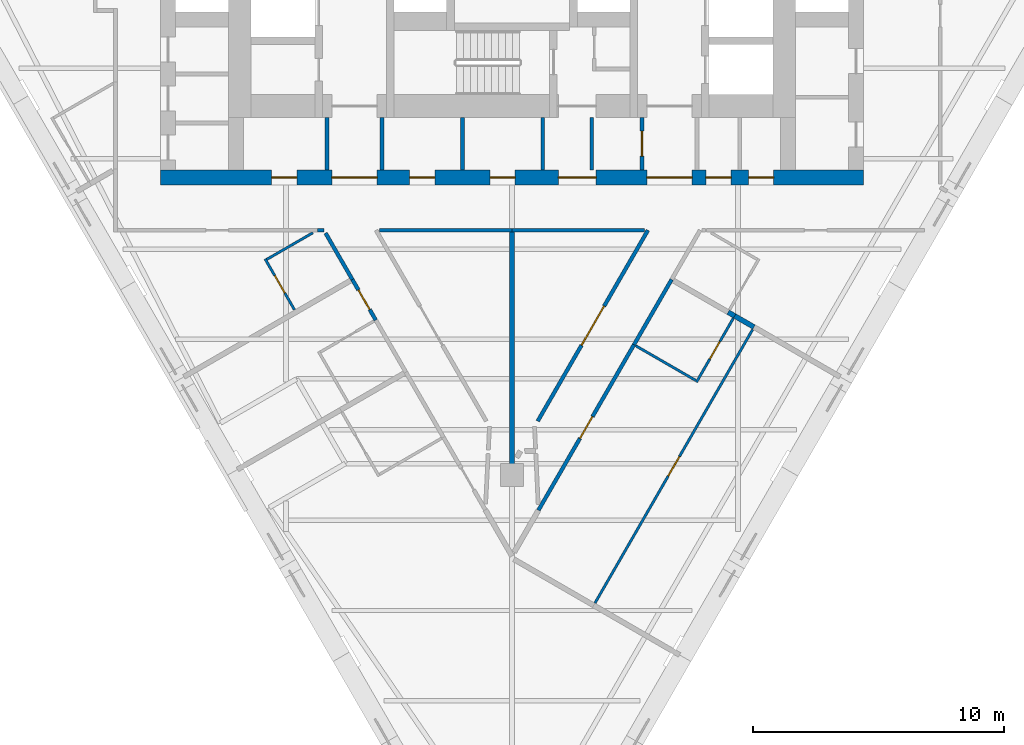
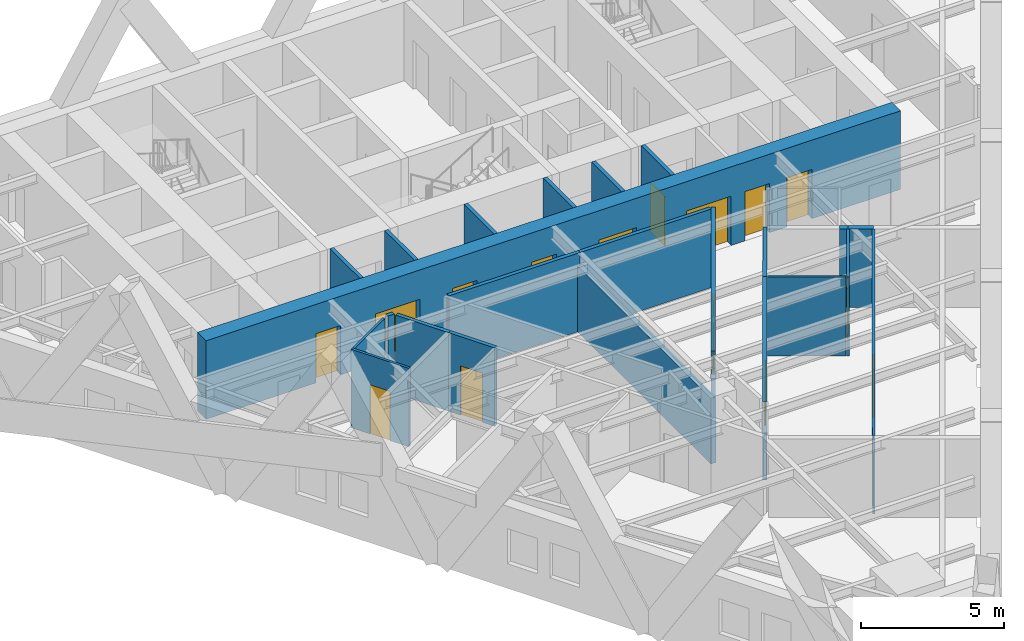
# One storey, part 5 of 11: 23 walls, 15 doors, 15 openings.
"""IFC4 building model written with IfcOpenShell, lengths in metres."""

from ifc_helpers import new_model, si_unit, direction, frame, frame_2d, origin, place, context, subcontext, project, spatial, rectangle, extrude, material, layer, layer_set, type_object, element, fill, save


model = new_model("IFC4")

# Units and contexts
model_context = context("Model", 3, precision=1e-05, world=origin(), true_north=direction((0.0, 1.0)))
body_context = subcontext(model_context, "Body", "Model", "MODEL_VIEW")
ifc_project = project(units=[si_unit("LENGTHUNIT", "METRE"), si_unit("AREAUNIT", "SQUARE_METRE"), si_unit("VOLUMEUNIT", "CUBIC_METRE"), si_unit("PLANEANGLEUNIT", "RADIAN"), si_unit("MASSUNIT", "GRAM", prefix="KILO")], contexts=[model_context])

# Site, building, storey
site_placement = place(None, origin())
site = spatial("IfcSite", under=ifc_project, at=site_placement, CompositionType="ELEMENT")
building_placement = place(site_placement, origin())
building = spatial("IfcBuilding", under=site, at=building_placement, Name="Aloe Facet Convention Tower", CompositionType="ELEMENT")
storey_placement = place(building_placement, frame((0.0, 0.0, 95.800048828125)))
storey = spatial("IfcBuildingStorey", under=building, at=storey_placement, Name="L23", CompositionType="ELEMENT", Elevation=95.800048828125)

# Walls
ifc_material_1 = material(Name="Concrete blockwork partition", Category="masonry")
ifc_layer_1 = layer(ifc_material_1, 0.14990234375)
ifc_layer_set_1 = layer_set([ifc_layer_1], Name="CR-W-PART150")
wall_type_1 = type_object("IfcWallType", Name="CR-W-PART150", PredefinedType="PARTITIONING", material=ifc_layer_set_1)
for number, where, z_axis, x_axis, name in (
    (1, (72.625, 122.25, 0.0), (0.0, 0.0, 1.0), (0.0, -1.0, 0.0), "Core partition L23-017"),
    (2, (74.824951171875, 122.25, 0.0), (0.0, 0.0, 1.0), (0.0, -1.0, 0.0), "Core partition L23-018"),
    (3, (78.02490234375, 122.25, 0.0), (0.0, 0.0, 1.0), (0.0, -1.0, 0.0), "Core partition L23-026"),
    (4, (81.22509765625, 122.25, 0.0), (0.0, 0.0, 1.0), (0.0, -1.0, 0.0), "Core partition L23-027"),
    (5, (83.175048828125, 122.25, 0.0), (0.0, 0.0, 1.0), (0.0, -1.0, 0.0), "Core partition L23-034"),
):
    element("IfcWall", number, at=place(storey_placement, frame(where, z_axis=z_axis, x_axis=x_axis)), inside=storey, type_object=wall_type_1, Name=name, PredefinedType="PARTITIONING", context=body_context, shape_type="SweptSolid", body=[
        extrude(rectangle(XDim=2.10009765625, YDim=0.14990234375, at=frame_2d((1.050048828125, 0.0))), origin(), (0.0, 0.0, 1.0), 3.349853515625),
    ])

# Wall, opening, door
wall_1_placement = place(storey_placement, frame((85.175048828125, 122.25, 0.0), z_axis=(0.0, 0.0, 1.0), x_axis=(0.0, -1.0, 0.0)))
wall_1 = element("IfcWall", 6, at=wall_1_placement, inside=storey, type_object=wall_type_1, Name="Core partition L23-040", PredefinedType="PARTITIONING", context=body_context, shape_type="SweptSolid", body=[
    extrude(rectangle(XDim=2.10009765625, YDim=0.14990234375, at=frame_2d((1.050048828125, 0.0))), origin(), (0.0, 0.0, 1.0), 3.349853515625),
])
opening_1_placement = place(wall_1_placement, frame((0.550048828125, 0.0, 0.0)))
opening_1 = element("IfcOpeningElement", 7, at=opening_1_placement, cuts=wall_1, Name="Opening L23-CD26", PredefinedType="OPENING", context=body_context, shape_type="SweptSolid", body=[
    extrude(rectangle(XDim=1.0, YDim=2.10009765625, at=frame_2d((0.5, 1.050048828125))), frame((0.0, 0.0849609375, 0.0), z_axis=(0.0, -1.0, 0.0), x_axis=(1.0, 0.0, 0.0)), (0.0, 0.0, 1.0), 0.169921875),
])
ifc_material_2 = material(Name="Steel fire-resisting door set FD60", Category="steel")
door_type_1 = type_object("IfcDoorType", Name="CR-D-ROOM-1000-FD60-SRIGHT", OperationType="SINGLE_SWING_RIGHT", PredefinedType="DOOR", material=ifc_material_2)
door_1_placement = place(opening_1_placement, origin())
door_1 = element("IfcDoor", 8, at=door_1_placement, inside=storey, type_object=door_type_1, Name="Core door L23-CD26", OperationType="SINGLE_SWING_RIGHT", OverallHeight=2.10009765625, OverallWidth=1.0, PredefinedType="DOOR", context=body_context, shape_type="SweptSolid", body=[
    extrude(rectangle(XDim=1.0, YDim=2.10009765625, at=frame_2d((0.5, 1.050048828125))), frame((0.0, 0.02490234375, 0.0), z_axis=(0.0, -1.0, 0.0), x_axis=(1.0, 0.0, 0.0)), (0.0, 0.0, 1.0), 0.050048828125),
])
fill(opening_1, door_1)

# Wall, openings, doors
ifc_material_3 = material(Name="Concrete C70/85", Category="concrete")
ifc_layer_2 = layer(ifc_material_3, 0.60009765625)
ifc_layer_set_2 = layer_set([ifc_layer_2], Name="CR-W-RC600-C7085")
wall_type_2 = type_object("IfcWallType", Name="CR-W-RC600-C7085", PredefinedType="SOLIDWALL", material=ifc_layer_set_2)
wall_2_placement = place(storey_placement, frame((66.0, 119.85009765625, 0.0), z_axis=(0.0, 0.0, 1.0), x_axis=(1.0, 0.0, 0.0)))
wall_2 = element("IfcWall", 9, at=wall_2_placement, inside=storey, type_object=wall_type_2, Name="Core wall L23-003", PredefinedType="SOLIDWALL", context=body_context, shape_type="SweptSolid", body=[
    extrude(rectangle(XDim=28.0, YDim=0.60009765625, at=frame_2d((14.0, 0.0))), origin(), (0.0, 0.0, 1.0), 3.349853515625),
])
opening_2_placement = place(wall_2_placement, frame((6.824951171875, 0.0, 0.0)))
opening_2 = element("IfcOpeningElement", 10, at=opening_2_placement, cuts=wall_2, Name="Opening L23-CD16", PredefinedType="OPENING", context=body_context, shape_type="SweptSolid", body=[
    extrude(rectangle(XDim=1.800048828125, YDim=2.10009765625, at=frame_2d((0.89990234375, 1.050048828125))), frame((0.0, 0.31005859375, 0.0), z_axis=(0.0, -1.0, 0.0), x_axis=(1.0, 0.0, 0.0)), (0.0, 0.0, 1.0), 0.6201171875),
])
opening_3_placement = place(wall_2_placement, frame((15.85009765625, 0.0, 0.0)))
opening_3 = element("IfcOpeningElement", 11, at=opening_3_placement, cuts=wall_2, Name="Opening L23-CD17", PredefinedType="OPENING", context=body_context, shape_type="SweptSolid", body=[
    extrude(rectangle(XDim=1.5, YDim=2.10009765625, at=frame_2d((0.75, 1.050048828125))), frame((0.0, 0.31005859375, 0.0), z_axis=(0.0, -1.0, 0.0), x_axis=(1.0, 0.0, 0.0)), (0.0, 0.0, 1.0), 0.6201171875),
])
opening_4_placement = place(wall_2_placement, frame((19.375, 0.0, 0.0)))
opening_4 = element("IfcOpeningElement", 12, at=opening_4_placement, cuts=wall_2, Name="Opening L23-CD18", PredefinedType="OPENING", context=body_context, shape_type="SweptSolid", body=[
    extrude(rectangle(XDim=1.800048828125, YDim=2.10009765625, at=frame_2d((0.89990234375, 1.050048828125))), frame((0.0, 0.31005859375, 0.0), z_axis=(0.0, -1.0, 0.0), x_axis=(1.0, 0.0, 0.0)), (0.0, 0.0, 1.0), 0.6201171875),
])
opening_5_placement = place(wall_2_placement, frame((4.425048828125, 0.0, 0.0)))
opening_5 = element("IfcOpeningElement", 13, at=opening_5_placement, cuts=wall_2, Name="Opening L23-CD23", PredefinedType="OPENING", context=body_context, shape_type="SweptSolid", body=[
    extrude(rectangle(XDim=1.0, YDim=2.10009765625, at=frame_2d((0.5, 1.050048828125))), frame((0.0, 0.31005859375, 0.0), z_axis=(0.0, -1.0, 0.0), x_axis=(1.0, 0.0, 0.0)), (0.0, 0.0, 1.0), 0.6201171875),
])
opening_6_placement = place(wall_2_placement, frame((9.925048828125, 0.0, 0.0)))
opening_6 = element("IfcOpeningElement", 14, at=opening_6_placement, cuts=wall_2, Name="Opening L23-CD24", PredefinedType="OPENING", context=body_context, shape_type="SweptSolid", body=[
    extrude(rectangle(XDim=1.0, YDim=2.10009765625, at=frame_2d((0.5, 1.050048828125))), frame((0.0, 0.31005859375, 0.0), z_axis=(0.0, -1.0, 0.0), x_axis=(1.0, 0.0, 0.0)), (0.0, 0.0, 1.0), 0.6201171875),
])
opening_7_placement = place(wall_2_placement, frame((13.125, 0.0, 0.0)))
opening_7 = element("IfcOpeningElement", 15, at=opening_7_placement, cuts=wall_2, Name="Opening L23-CD25", PredefinedType="OPENING", context=body_context, shape_type="SweptSolid", body=[
    extrude(rectangle(XDim=1.0, YDim=2.10009765625, at=frame_2d((0.5, 1.050048828125))), frame((0.0, 0.31005859375, 0.0), z_axis=(0.0, -1.0, 0.0), x_axis=(1.0, 0.0, 0.0)), (0.0, 0.0, 1.0), 0.6201171875),
])
opening_8_placement = place(wall_2_placement, frame((21.72509765625, 0.0, 0.0)))
opening_8 = element("IfcOpeningElement", 16, at=opening_8_placement, cuts=wall_2, Name="Opening L23-CD27", PredefinedType="OPENING", context=body_context, shape_type="SweptSolid", body=[
    extrude(rectangle(XDim=1.0, YDim=2.10009765625, at=frame_2d((0.5, 1.050048828125))), frame((0.0, 0.31005859375, 0.0), z_axis=(0.0, -1.0, 0.0), x_axis=(1.0, 0.0, 0.0)), (0.0, 0.0, 1.0), 0.6201171875),
])
opening_9_placement = place(wall_2_placement, frame((23.425048828125, 0.0, 0.0)))
opening_9 = element("IfcOpeningElement", 17, at=opening_9_placement, cuts=wall_2, Name="Opening L23-CD28", PredefinedType="OPENING", context=body_context, shape_type="SweptSolid", body=[
    extrude(rectangle(XDim=1.0, YDim=2.10009765625, at=frame_2d((0.5, 1.050048828125))), frame((0.0, 0.31005859375, 0.0), z_axis=(0.0, -1.0, 0.0), x_axis=(1.0, 0.0, 0.0)), (0.0, 0.0, 1.0), 0.6201171875),
])
ifc_material_4 = material(Name="Steel fire-resisting door set FD60", Category="steel")
door_type_2 = type_object("IfcDoorType", Name="CR-D-EXIT-1500-FD60-DD", OperationType="DOUBLE_DOOR_DOUBLE_SWING", PredefinedType="DOOR", material=ifc_material_4)
door_2_placement = place(opening_3_placement, origin())
door_2 = element("IfcDoor", 18, at=door_2_placement, inside=storey, type_object=door_type_2, Name="Core door L23-CD17", OperationType="DOUBLE_DOOR_DOUBLE_SWING", OverallHeight=2.10009765625, OverallWidth=1.5, PredefinedType="DOOR", context=body_context, shape_type="SweptSolid", body=[
    extrude(rectangle(XDim=1.5, YDim=2.10009765625, at=frame_2d((0.75, 1.050048828125))), frame((0.0, 0.02490234375, 0.0), z_axis=(0.0, -1.0, 0.0), x_axis=(1.0, 0.0, 0.0)), (0.0, 0.0, 1.0), 0.050048828125),
])
fill(opening_3, door_2)
ifc_material_5 = material(Name="Steel fire-resisting door set FD60", Category="steel")
door_type_3 = type_object("IfcDoorType", Name="CR-D-EXIT-1800-FD60-DD", OperationType="DOUBLE_DOOR_DOUBLE_SWING", PredefinedType="DOOR", material=ifc_material_5)
door_3_placement = place(opening_2_placement, origin())
door_3 = element("IfcDoor", 19, at=door_3_placement, inside=storey, type_object=door_type_3, Name="Core door L23-CD16", OperationType="DOUBLE_DOOR_DOUBLE_SWING", OverallHeight=2.10009765625, OverallWidth=1.800048828125, PredefinedType="DOOR", context=body_context, shape_type="SweptSolid", body=[
    extrude(rectangle(XDim=1.800048828125, YDim=2.10009765625, at=frame_2d((0.89990234375, 1.050048828125))), frame((0.0, 0.02490234375, 0.0), z_axis=(0.0, -1.0, 0.0), x_axis=(1.0, 0.0, 0.0)), (0.0, 0.0, 1.0), 0.050048828125),
])
fill(opening_2, door_3)
door_4_placement = place(opening_4_placement, origin())
door_4 = element("IfcDoor", 20, at=door_4_placement, inside=storey, type_object=door_type_3, Name="Core door L23-CD18", OperationType="DOUBLE_DOOR_DOUBLE_SWING", OverallHeight=2.10009765625, OverallWidth=1.800048828125, PredefinedType="DOOR", context=body_context, shape_type="SweptSolid", body=[
    extrude(rectangle(XDim=1.800048828125, YDim=2.10009765625, at=frame_2d((0.89990234375, 1.050048828125))), frame((0.0, 0.02490234375, 0.0), z_axis=(0.0, -1.0, 0.0), x_axis=(1.0, 0.0, 0.0)), (0.0, 0.0, 1.0), 0.050048828125),
])
fill(opening_4, door_4)
door_5_placement = place(opening_5_placement, origin())
door_5 = element("IfcDoor", 21, at=door_5_placement, inside=storey, type_object=door_type_1, Name="Core door L23-CD23", OperationType="SINGLE_SWING_RIGHT", OverallHeight=2.10009765625, OverallWidth=1.0, PredefinedType="DOOR", context=body_context, shape_type="SweptSolid", body=[
    extrude(rectangle(XDim=1.0, YDim=2.10009765625, at=frame_2d((0.5, 1.050048828125))), frame((0.0, 0.02490234375, 0.0), z_axis=(0.0, -1.0, 0.0), x_axis=(1.0, 0.0, 0.0)), (0.0, 0.0, 1.0), 0.050048828125),
])
fill(opening_5, door_5)
door_6_placement = place(opening_6_placement, origin())
door_6 = element("IfcDoor", 22, at=door_6_placement, inside=storey, type_object=door_type_1, Name="Core door L23-CD24", OperationType="SINGLE_SWING_RIGHT", OverallHeight=2.10009765625, OverallWidth=1.0, PredefinedType="DOOR", context=body_context, shape_type="SweptSolid", body=[
    extrude(rectangle(XDim=1.0, YDim=2.10009765625, at=frame_2d((0.5, 1.050048828125))), frame((0.0, 0.02490234375, 0.0), z_axis=(0.0, -1.0, 0.0), x_axis=(1.0, 0.0, 0.0)), (0.0, 0.0, 1.0), 0.050048828125),
])
fill(opening_6, door_6)
door_7_placement = place(opening_7_placement, origin())
door_7 = element("IfcDoor", 23, at=door_7_placement, inside=storey, type_object=door_type_1, Name="Core door L23-CD25", OperationType="SINGLE_SWING_RIGHT", OverallHeight=2.10009765625, OverallWidth=1.0, PredefinedType="DOOR", context=body_context, shape_type="SweptSolid", body=[
    extrude(rectangle(XDim=1.0, YDim=2.10009765625, at=frame_2d((0.5, 1.050048828125))), frame((0.0, 0.02490234375, 0.0), z_axis=(0.0, -1.0, 0.0), x_axis=(1.0, 0.0, 0.0)), (0.0, 0.0, 1.0), 0.050048828125),
])
fill(opening_7, door_7)
door_8_placement = place(opening_8_placement, origin())
door_8 = element("IfcDoor", 24, at=door_8_placement, inside=storey, type_object=door_type_1, Name="Core door L23-CD27", OperationType="SINGLE_SWING_RIGHT", OverallHeight=2.10009765625, OverallWidth=1.0, PredefinedType="DOOR", context=body_context, shape_type="SweptSolid", body=[
    extrude(rectangle(XDim=1.0, YDim=2.10009765625, at=frame_2d((0.5, 1.050048828125))), frame((0.0, 0.02490234375, 0.0), z_axis=(0.0, -1.0, 0.0), x_axis=(1.0, 0.0, 0.0)), (0.0, 0.0, 1.0), 0.050048828125),
])
fill(opening_8, door_8)
door_9_placement = place(opening_9_placement, origin())
door_9 = element("IfcDoor", 25, at=door_9_placement, inside=storey, type_object=door_type_1, Name="Core door L23-CD28", OperationType="SINGLE_SWING_RIGHT", OverallHeight=2.10009765625, OverallWidth=1.0, PredefinedType="DOOR", context=body_context, shape_type="SweptSolid", body=[
    extrude(rectangle(XDim=1.0, YDim=2.10009765625, at=frame_2d((0.5, 1.050048828125))), frame((0.0, 0.02490234375, 0.0), z_axis=(0.0, -1.0, 0.0), x_axis=(1.0, 0.0, 0.0)), (0.0, 0.0, 1.0), 0.050048828125),
])
fill(opening_9, door_9)

# Wall, opening, door
ifc_material_6 = material(Name="Gypsum board partition on steel studs", Category="steel")
ifc_layer_3 = layer(ifc_material_6, 0.14990234375)
ifc_layer_set_3 = layer_set([ifc_layer_3], Name="IN-W-CORR")
wall_type_3 = type_object("IfcWallType", Name="IN-W-CORR", PredefinedType="PARTITIONING", material=ifc_layer_set_3)
wall_3_placement = place(storey_placement, frame((81.0244140625, 110.144775390625, 0.0), z_axis=(0.0, 0.0, 1.0), x_axis=(0.499999202763, 0.866025864069, 0.0)))
wall_3 = element("IfcWall", 26, at=wall_3_placement, inside=storey, type_object=wall_type_3, Name="Partition L23-W021", PredefinedType="PARTITIONING", context=body_context, shape_type="SweptSolid", body=[
    extrude(rectangle(XDim=8.78173828125, YDim=0.14990234375, at=frame_2d((4.390869140625, 0.0))), origin(), (0.0, 0.0, 1.0), 3.349853515625),
])
opening_10_placement = place(wall_3_placement, frame((3.49072265625, 0.0, 0.0)))
opening_10 = element("IfcOpeningElement", 27, at=opening_10_placement, cuts=wall_3, Name="Opening L23-008", PredefinedType="OPENING", context=body_context, shape_type="SweptSolid", body=[
    extrude(rectangle(XDim=1.800048828125, YDim=2.10009765625, at=frame_2d((0.89990234375, 1.050048828125))), frame((0.0, 0.0849609375, 0.0), z_axis=(0.0, -1.0, 0.0), x_axis=(1.0, 0.0, 0.0)), (0.0, 0.0, 1.0), 0.169921875),
])
ifc_material_7 = material(Name="Timber flush door pair", Category="wood")
door_type_4 = type_object("IfcDoorType", Name="IN-D-PAIR-U", OperationType="DOUBLE_DOOR_SINGLE_SWING", PredefinedType="DOOR", material=ifc_material_7)
door_10_placement = place(opening_10_placement, origin())
door_10 = element("IfcDoor", 28, at=door_10_placement, inside=storey, type_object=door_type_4, Name="Door L23-008", OperationType="SINGLE_SWING_LEFT", OverallHeight=2.10009765625, OverallWidth=1.800048828125, PredefinedType="DOOR", context=body_context, shape_type="SweptSolid", body=[
    extrude(rectangle(XDim=1.800048828125, YDim=2.10009765625, at=frame_2d((0.89990234375, 1.050048828125))), frame((0.0, 0.02490234375, 0.0), z_axis=(0.0, -1.0, 0.0), x_axis=(1.0, 0.0, 0.0)), (0.0, 0.0, 1.0), 0.050048828125),
])
fill(opening_10, door_10)

wall_4_placement = place(storey_placement, frame((81.052978515625, 106.594482421875, 0.0), z_axis=(0.0, 0.0, 1.0), x_axis=(0.500005612204, 0.866022163553, 0.0)))
wall_4 = element("IfcWall", 29, at=wall_4_placement, inside=storey, type_object=wall_type_3, Name="Partition L23-W032", PredefinedType="PARTITIONING", context=body_context, shape_type="SweptSolid", body=[
    extrude(rectangle(XDim=7.61279296875, YDim=0.14990234375, at=frame_2d((3.806396484375, 0.0))), origin(), (0.0, 0.0, 1.0), 3.349853515625),
])
opening_11_placement = place(wall_4_placement, frame((3.306396484375, 0.0, 0.0)))
opening_11 = element("IfcOpeningElement", 30, at=opening_11_placement, cuts=wall_4, Name="Opening L23-009", PredefinedType="OPENING", context=body_context, shape_type="SweptSolid", body=[
    extrude(rectangle(XDim=1.0, YDim=2.10009765625, at=frame_2d((0.5, 1.050048828125))), frame((0.0, 0.0849609375, 0.0), z_axis=(0.0, -1.0, 0.0), x_axis=(1.0, 0.0, 0.0)), (0.0, 0.0, 1.0), 0.169921875),
])
ifc_material_8 = material(Name="Hardwood flush door FD30S", Category="wood")
door_type_5 = type_object("IfcDoorType", Name="IN-D-WIDE", OperationType="SINGLE_SWING_LEFT", PredefinedType="DOOR", material=ifc_material_8)
door_11_placement = place(opening_11_placement, origin())
door_11 = element("IfcDoor", 31, at=door_11_placement, inside=storey, type_object=door_type_5, Name="Door L23-009", OperationType="SINGLE_SWING_LEFT", OverallHeight=2.10009765625, OverallWidth=1.0, PredefinedType="DOOR", context=body_context, shape_type="SweptSolid", body=[
    extrude(rectangle(XDim=1.0, YDim=2.10009765625, at=frame_2d((0.5, 1.050048828125))), frame((0.0, 0.02490234375, 0.0), z_axis=(0.0, -1.0, 0.0), x_axis=(1.0, 0.0, 0.0)), (0.0, 0.0, 1.0), 0.050048828125),
])
fill(opening_11, door_11)

# Wall
wall_5_placement = place(storey_placement, frame((84.859375, 113.187255859375, 0.0), z_axis=(0.0, 0.0, 1.0), x_axis=(0.50002537861, 0.866010750942, 0.0)))
element("IfcWall", 32, at=wall_5_placement, inside=storey, type_object=wall_type_3, Name="Partition L23-W034", PredefinedType="PARTITIONING", context=body_context, shape_type="SweptSolid", body=[
    extrude(rectangle(XDim=2.999755859375, YDim=0.14990234375, at=frame_2d((1.5, 0.0))), origin(), (0.0, 0.0, 1.0), 3.349853515625),
])

# Wall, opening, door
wall_6_placement = place(storey_placement, frame((73.640625, 115.78515625, 0.0), z_axis=(0.0, 0.0, 1.0), x_axis=(0.499998297855, -0.866026386516, 0.0)))
wall_6 = element("IfcWall", 33, at=wall_6_placement, inside=storey, type_object=wall_type_3, Name="Partition L23-W036", PredefinedType="PARTITIONING", context=body_context, shape_type="SweptSolid", body=[
    extrude(rectangle(XDim=1.8642578125, YDim=0.14990234375, at=frame_2d((0.93212890625, 0.0))), origin(), (0.0, 0.0, 1.0), 3.349853515625),
])
opening_12_placement = place(wall_6_placement, frame((0.482177734375, 0.0, 0.0)))
opening_12 = element("IfcOpeningElement", 34, at=opening_12_placement, cuts=wall_6, Name="Opening L23-003", PredefinedType="OPENING", context=body_context, shape_type="SweptSolid", body=[
    extrude(rectangle(XDim=0.89990234375, YDim=2.10009765625, at=frame_2d((0.449951171875, 1.050048828125))), frame((0.0, 0.0849609375, 0.0), z_axis=(0.0, -1.0, 0.0), x_axis=(1.0, 0.0, 0.0)), (0.0, 0.0, 1.0), 0.169921875),
])
ifc_material_9 = material(Name="Hardwood flush door FD30S", Category="wood")
door_type_6 = type_object("IfcDoorType", Name="IN-D-GUEST", OperationType="SINGLE_SWING_LEFT", PredefinedType="DOOR", material=ifc_material_9)
door_12_placement = place(opening_12_placement, origin())
door_12 = element("IfcDoor", 35, at=door_12_placement, inside=storey, type_object=door_type_6, Name="Door L23-003", OperationType="SINGLE_SWING_LEFT", OverallHeight=2.10009765625, OverallWidth=0.89990234375, PredefinedType="DOOR", context=body_context, shape_type="SweptSolid", body=[
    extrude(rectangle(XDim=0.89990234375, YDim=2.10009765625, at=frame_2d((0.449951171875, 1.050048828125))), frame((0.0, 0.02490234375, 0.0), z_axis=(0.0, -1.0, 0.0), x_axis=(1.0, 0.0, 0.0)), (0.0, 0.0, 1.0), 0.050048828125),
])
fill(opening_12, door_12)

# Walls
wall_7_placement = place(storey_placement, frame((72.24365234375, 117.75, 0.0), z_axis=(0.0, 0.0, 1.0), x_axis=(1.0, 0.0, 0.0)))
element("IfcWall", 36, at=wall_7_placement, inside=storey, type_object=wall_type_3, Name="Partition L23-W048", PredefinedType="PARTITIONING", context=body_context, shape_type="SweptSolid", body=[
    extrude(rectangle(XDim=0.2626953125, YDim=0.14990234375, at=frame_2d((0.13134765625, 0.0))), origin(), (0.0, 0.0, 1.0), 3.349853515625),
])
wall_8_placement = place(storey_placement, frame((72.5712890625, 117.637451171875, 0.0), z_axis=(0.0, 0.0, 1.0), x_axis=(0.499969479948, -0.866043023828, 0.0)))
element("IfcWall", 37, at=wall_8_placement, inside=storey, type_object=wall_type_3, Name="Partition L23-W050", PredefinedType="PARTITIONING", context=body_context, shape_type="SweptSolid", body=[
    extrude(rectangle(XDim=2.138916015625, YDim=0.14990234375, at=frame_2d((1.0693359375, 0.0))), origin(), (0.0, 0.0, 1.0), 3.349853515625),
])
for number, where, z_axis, x_axis, name in (
    (38, (74.714599609375, 117.75, 0.0), (0.0, 0.0, 1.0), (1.0, 0.0, 0.0), "Partition L23-W052"),
    (39, (80.0, 117.75, 0.0), (0.0, 0.0, 1.0), (1.0, 0.0, 0.0), "Partition L23-W053"),
):
    element("IfcWall", number, at=place(storey_placement, frame(where, z_axis=z_axis, x_axis=x_axis)), inside=storey, type_object=wall_type_3, Name=name, PredefinedType="PARTITIONING", context=body_context, shape_type="SweptSolid", body=[
        extrude(rectangle(XDim=5.285400390625, YDim=0.14990234375, at=frame_2d((2.642578125, 0.0))), origin(), (0.0, 0.0, 1.0), 3.349853515625),
    ])

# Wall, opening, door
ifc_material_10 = material(Name="Gypsum board partition on steel studs", Category="steel")
ifc_layer_4 = layer(ifc_material_10, 0.10009765625)
ifc_layer_set_4 = layer_set([ifc_layer_4], Name="IN-W-PART")
wall_type_4 = type_object("IfcWallType", Name="IN-W-PART", PredefinedType="PARTITIONING", material=ifc_layer_set_4)
wall_9_placement = place(storey_placement, frame((87.345947265625, 111.69384765625, 0.0), z_axis=(0.0, 0.0, 1.0), x_axis=(0.499988418424, 0.866032090307, 0.0)))
wall_9 = element("IfcWall", 40, at=wall_9_placement, inside=storey, type_object=wall_type_4, Name="Partition L23-W026", PredefinedType="PARTITIONING", context=body_context, shape_type="SweptSolid", body=[
    extrude(rectangle(XDim=2.93994140625, YDim=0.10009765625, at=frame_2d((1.469970703125, 0.0))), origin(), (0.0, 0.0, 1.0), 3.349853515625),
])
opening_13_placement = place(wall_9_placement, frame((1.070068359375, 0.0, 0.0)))
opening_13 = element("IfcOpeningElement", 41, at=opening_13_placement, cuts=wall_9, Name="Opening L23-014", PredefinedType="OPENING", context=body_context, shape_type="SweptSolid", body=[
    extrude(rectangle(XDim=0.800048828125, YDim=2.10009765625, at=frame_2d((0.39990234375, 1.050048828125))), frame((0.0, 0.06005859375, 0.0), z_axis=(0.0, -1.0, 0.0), x_axis=(1.0, 0.0, 0.0)), (0.0, 0.0, 1.0), 0.1201171875),
])
ifc_material_11 = material(Name="Timber flush door", Category="wood")
door_type_7 = type_object("IfcDoorType", Name="IN-D-BATH", OperationType="SINGLE_SWING_LEFT", PredefinedType="DOOR", material=ifc_material_11)
door_13_placement = place(opening_13_placement, origin())
door_13 = element("IfcDoor", 42, at=door_13_placement, inside=storey, type_object=door_type_7, Name="Door L23-014", OperationType="SINGLE_SWING_LEFT", OverallHeight=2.10009765625, OverallWidth=0.800048828125, PredefinedType="DOOR", context=body_context, shape_type="SweptSolid", body=[
    extrude(rectangle(XDim=0.800048828125, YDim=2.10009765625, at=frame_2d((0.39990234375, 1.050048828125))), frame((0.0, 0.02490234375, 0.0), z_axis=(0.0, -1.0, 0.0), x_axis=(1.0, 0.0, 0.0)), (0.0, 0.0, 1.0), 0.050048828125),
])
fill(opening_13, door_13)

# Wall
wall_10_placement = place(storey_placement, frame((84.932861328125, 113.144775390625, 0.0), z_axis=(0.0, 0.0, 1.0), x_axis=(0.866004076171, -0.500036938691, 0.0)))
element("IfcWall", 43, at=wall_10_placement, inside=storey, type_object=wall_type_4, Name="Partition L23-W033", PredefinedType="PARTITIONING", context=body_context, shape_type="SweptSolid", body=[
    extrude(rectangle(XDim=2.755126953125, YDim=0.10009765625, at=frame_2d((1.37744140625, 0.0))), origin(), (0.0, 0.0, 1.0), 3.349853515625),
])

# Wall, opening, door
wall_11_placement = place(storey_placement, frame((83.308837890625, 102.901611328125, 0.0), z_axis=(0.0, 0.0, 1.0), x_axis=(0.499318389478, 0.866418574322, 0.0)))
wall_11 = element("IfcWall", 44, at=wall_11_placement, inside=storey, type_object=wall_type_4, Name="Partition L23-W035", PredefinedType="PARTITIONING", context=body_context, shape_type="SweptSolid", body=[
    extrude(rectangle(XDim=12.57275390625, YDim=0.10009765625, at=frame_2d((6.286376953125, 0.0))), origin(), (0.0, 0.0, 1.0), 3.349853515625),
])
opening_14_placement = place(wall_11_placement, frame((5.83642578125, 0.0, 0.0)))
opening_14 = element("IfcOpeningElement", 45, at=opening_14_placement, cuts=wall_11, Name="Opening L23-015", PredefinedType="OPENING", context=body_context, shape_type="SweptSolid", body=[
    extrude(rectangle(XDim=0.89990234375, YDim=2.10009765625, at=frame_2d((0.449951171875, 1.050048828125))), frame((0.0, 0.06005859375, 0.0), z_axis=(0.0, -1.0, 0.0), x_axis=(1.0, 0.0, 0.0)), (0.0, 0.0, 1.0), 0.1201171875),
])
ifc_material_12 = material(Name="Timber flush door", Category="wood")
door_type_8 = type_object("IfcDoorType", Name="IN-D-INT", OperationType="SINGLE_SWING_LEFT", PredefinedType="DOOR", material=ifc_material_12)
door_14_placement = place(opening_14_placement, origin())
door_14 = element("IfcDoor", 46, at=door_14_placement, inside=storey, type_object=door_type_8, Name="Door L23-015", OperationType="SINGLE_SWING_LEFT", OverallHeight=2.10009765625, OverallWidth=0.89990234375, PredefinedType="DOOR", context=body_context, shape_type="SweptSolid", body=[
    extrude(rectangle(XDim=0.89990234375, YDim=2.10009765625, at=frame_2d((0.449951171875, 1.050048828125))), frame((0.0, 0.02490234375, 0.0), z_axis=(0.0, -1.0, 0.0), x_axis=(1.0, 0.0, 0.0)), (0.0, 0.0, 1.0), 0.050048828125),
])
fill(opening_14, door_14)

wall_12_placement = place(storey_placement, frame((70.1640625, 116.60693359375, 0.0), z_axis=(0.0, 0.0, 1.0), x_axis=(0.499999433879, -0.866025730634, 0.0)))
wall_12 = element("IfcWall", 47, at=wall_12_placement, inside=storey, type_object=wall_type_4, Name="Partition L23-W039", PredefinedType="PARTITIONING", context=body_context, shape_type="SweptSolid", body=[
    extrude(rectangle(XDim=2.33984375, YDim=0.10009765625, at=frame_2d((1.169921875, 0.0))), origin(), (0.0, 0.0, 1.0), 3.349853515625),
])
opening_15_placement = place(wall_12_placement, frame((0.77001953125, 0.0, 0.0)))
opening_15 = element("IfcOpeningElement", 48, at=opening_15_placement, cuts=wall_12, Name="Opening L23-011", PredefinedType="OPENING", context=body_context, shape_type="SweptSolid", body=[
    extrude(rectangle(XDim=0.800048828125, YDim=2.10009765625, at=frame_2d((0.39990234375, 1.050048828125))), frame((0.0, 0.06005859375, 0.0), z_axis=(0.0, -1.0, 0.0), x_axis=(1.0, 0.0, 0.0)), (0.0, 0.0, 1.0), 0.1201171875),
])
door_15_placement = place(opening_15_placement, origin())
door_15 = element("IfcDoor", 49, at=door_15_placement, inside=storey, type_object=door_type_7, Name="Door L23-011", OperationType="SINGLE_SWING_LEFT", OverallHeight=2.10009765625, OverallWidth=0.800048828125, PredefinedType="DOOR", context=body_context, shape_type="SweptSolid", body=[
    extrude(rectangle(XDim=0.800048828125, YDim=2.10009765625, at=frame_2d((0.39990234375, 1.050048828125))), frame((0.0, 0.02490234375, 0.0), z_axis=(0.0, -1.0, 0.0), x_axis=(1.0, 0.0, 0.0)), (0.0, 0.0, 1.0), 0.050048828125),
])
fill(opening_15, door_15)

# Walls
wall_13_placement = place(storey_placement, frame((70.232177734375, 116.588623046875, 0.0), z_axis=(0.0, 0.0, 1.0), x_axis=(0.866028160477, 0.499995225238, 0.0)))
element("IfcWall", 50, at=wall_13_placement, inside=storey, type_object=wall_type_4, Name="Partition L23-W045", PredefinedType="PARTITIONING", context=body_context, shape_type="SweptSolid", body=[
    extrude(rectangle(XDim=2.11767578125, YDim=0.10009765625, at=frame_2d((1.058837890625, 0.0))), origin(), (0.0, 0.0, 1.0), 3.349853515625),
])
ifc_material_13 = material(Name="Gypsum board partition on steel studs", Category="steel")
ifc_layer_5 = layer(ifc_material_13, 0.199951171875)
ifc_layer_set_5 = layer_set([ifc_layer_5], Name="IN-W-PARTY")
wall_type_5 = type_object("IfcWallType", Name="IN-W-PARTY", PredefinedType="PARTITIONING", material=ifc_layer_set_5)
wall_14_placement = place(storey_placement, frame((80.0, 108.37060546875, 0.0), z_axis=(0.0, 0.0, 1.0), x_axis=(0.0, 1.0, 0.0)))
element("IfcWall", 51, at=wall_14_placement, inside=storey, type_object=wall_type_5, Name="Partition L23-W010", PredefinedType="PARTITIONING", context=body_context, shape_type="SweptSolid", body=[
    extrude(rectangle(XDim=9.304443359375, YDim=0.199951171875, at=frame_2d((4.65234375, 0.0))), origin(), (0.0, 0.0, 1.0), 2.800537109375),
])
wall_15_placement = place(storey_placement, frame((88.870849609375, 114.335205078125, 0.0), z_axis=(0.0, 0.0, 1.0), x_axis=(0.866107930713, -0.499857031916, 0.0)))
element("IfcWall", 52, at=wall_15_placement, inside=storey, type_object=wall_type_5, Name="Partition L23-W038", PredefinedType="PARTITIONING", context=body_context, shape_type="SweptSolid", body=[
    extrude(rectangle(XDim=0.889892578125, YDim=0.199951171875, at=frame_2d((0.44482421875, 0.0))), origin(), (0.0, 0.0, 1.0), 3.349853515625),
])
wall_16_placement = place(storey_placement, frame((88.611083984375, 114.4853515625, 0.0), z_axis=(0.0, 0.0, 1.0), x_axis=(0.865778900179, -0.500426713919, 0.0)))
element("IfcWall", 53, at=wall_16_placement, inside=storey, type_object=wall_type_5, Name="Partition L23-W041", PredefinedType="PARTITIONING", context=body_context, shape_type="SweptSolid", body=[
    extrude(rectangle(XDim=0.300048828125, YDim=0.199951171875, at=frame_2d((0.14990234375, 0.0))), origin(), (0.0, 0.0, 1.0), 3.349853515625),
])

save(model, "model.ifc")
